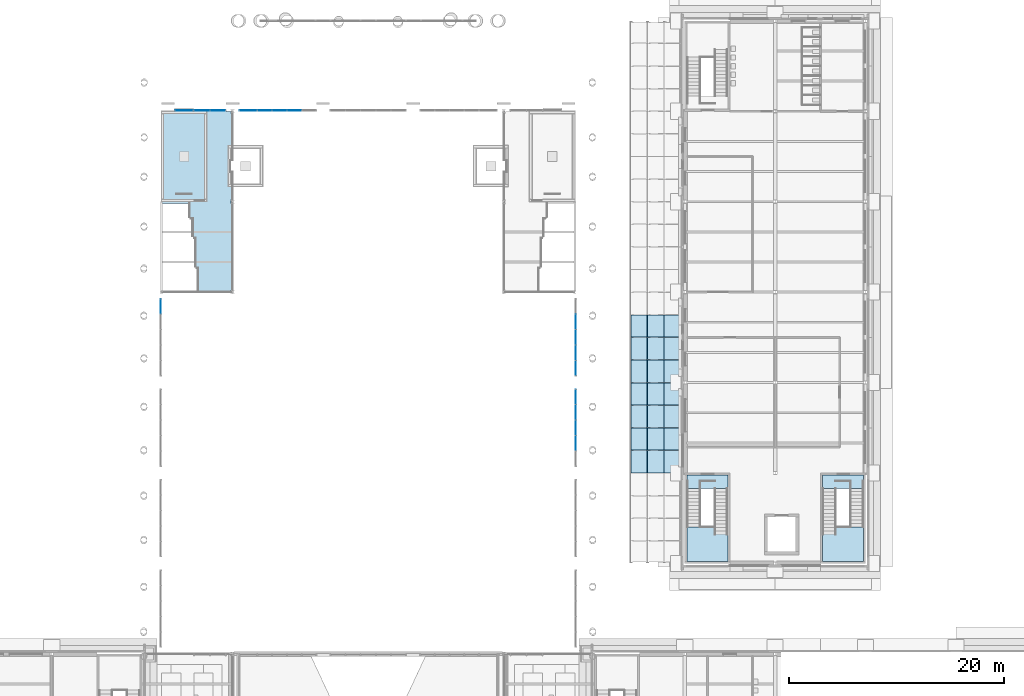
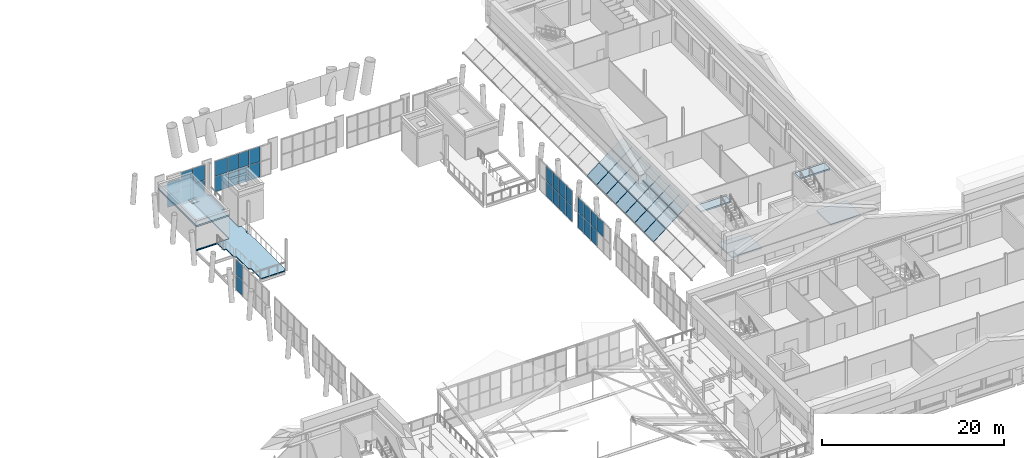
# One storey, part 37 of 76: 52 plates, 6 slabs, 9 elements without a shape of their own.
"""IFC4 building model written with IfcOpenShell, lengths in metres."""

from ifc_helpers import new_model, si_unit, direction, frame, origin, origin_2d, place, context, subcontext, project, spatial, polyline, rectangle, outline, extrude, material, layer, layer_set, type_object, element, aggregate, save


model = new_model("IFC4")

# Units and contexts
model_context = context("Model", 3, precision=1e-05, world=origin(), true_north=direction((0.0, 1.0)))
body_context = subcontext(model_context, "Body", "Model", "MODEL_VIEW")
ifc_project = project(units=[si_unit("LENGTHUNIT", "METRE"), si_unit("AREAUNIT", "SQUARE_METRE"), si_unit("VOLUMEUNIT", "CUBIC_METRE"), si_unit("PLANEANGLEUNIT", "RADIAN"), si_unit("MASSUNIT", "GRAM", prefix="KILO")], contexts=[model_context])

# Site, building, storey
site_placement = place(None, origin())
site = spatial("IfcSite", under=ifc_project, at=site_placement, CompositionType="ELEMENT")
building_placement = place(site_placement, origin())
building = spatial("IfcBuilding", under=site, at=building_placement, Name="Sava Quay Ferry Terminal", CompositionType="ELEMENT")
storey_placement = place(building_placement, frame((0.0, 0.0, 10.800048828125)))
storey = spatial("IfcBuildingStorey", under=building, at=storey_placement, Name="L02", CompositionType="ELEMENT", Elevation=10.800048828125)

# Slab
ifc_material_1 = material(Name="Concrete C30/37", Category="concrete")
ifc_layer_1 = layer(ifc_material_1, 0.1298828125)
ifc_layer_set_1 = layer_set([ifc_layer_1], Name="Concrete C30/37")
slab_type_1 = type_object("IfcSlabType", Name="Composite floor slab 130", PredefinedType="FLOOR", material=ifc_layer_set_1)
slab_1_placement = place(storey_placement, frame((0.0, 0.0, -0.130126953125)))
element("IfcSlab", 1, at=slab_1_placement, inside=storey, type_object=slab_type_1, Name="D floor slab L02", PredefinedType="FLOOR", context=body_context, shape_type="SweptSolid", body=[
    extrude(outline(polyline([(50.239990234375, 84.18994140625), (50.239990234375, 84.0), (47.199951171875, 84.0), (47.199951171875, 86.25), (47.10009765625, 86.25), (47.085205078125, 86.250732421875), (47.07080078125, 86.2529296875), (47.056396484375, 86.256591796875), (47.04248046875, 86.261474609375), (47.029296875, 86.267578125), (47.0166015625, 86.275390625), (47.0048828125, 86.283935546875), (46.993896484375, 86.2939453125), (46.98388671875, 86.3046875), (46.975341796875, 86.316650390625), (46.9677734375, 86.329345703125), (46.96142578125, 86.342529296875), (46.95654296875, 86.3564453125), (46.952880859375, 86.37060546875), (46.95068359375, 86.38525390625), (46.949951171875, 86.39990234375), (46.949951171875, 89.050048828125), (46.85009765625, 89.050048828125), (46.835205078125, 89.05078125), (46.82080078125, 89.052978515625), (46.806396484375, 89.056396484375), (46.79248046875, 89.061279296875), (46.779296875, 89.067626953125), (46.7666015625, 89.0751953125), (46.7548828125, 89.083984375), (46.743896484375, 89.093994140625), (46.73388671875, 89.104736328125), (46.725341796875, 89.11669921875), (46.7177734375, 89.12939453125), (46.71142578125, 89.142578125), (46.70654296875, 89.156494140625), (46.702880859375, 89.170654296875), (46.70068359375, 89.185302734375), (46.699951171875, 89.199951171875), (46.699951171875, 90.85009765625), (46.550048828125, 90.85009765625), (46.535400390625, 90.8505859375), (46.520751953125, 90.852783203125), (46.506591796875, 90.8564453125), (46.49267578125, 90.861328125), (46.479248046875, 90.86767578125), (46.466796875, 90.875244140625), (46.454833984375, 90.884033203125), (46.44384765625, 90.893798828125), (46.43408203125, 90.90478515625), (46.42529296875, 90.916748046875), (46.417724609375, 90.92919921875), (46.411376953125, 90.942626953125), (46.406494140625, 90.95654296875), (46.40283203125, 90.970703125), (46.400634765625, 90.9853515625), (46.39990234375, 91.0), (46.39990234375, 92.25), (43.800048828125, 92.25), (43.800048828125, 92.39990234375), (48.0, 92.39990234375), (48.0, 100.800048828125), (50.239990234375, 100.800048828125), (50.239990234375, 100.610107421875), (50.39990234375, 100.610107421875), (50.39990234375, 97.60009765625), (50.0, 97.60009765625), (50.0, 93.800048828125), (50.39990234375, 93.800048828125), (50.39990234375, 92.590087890625), (50.239990234375, 92.590087890625), (50.239990234375, 92.2099609375), (50.39990234375, 92.2099609375), (50.39990234375, 84.18994140625), (50.239990234375, 84.18994140625)])), origin(), (0.0, 0.0, 1.0), 0.130126953125),
])

# Curtain wall, plates
ifc_material_2 = material(Name="Aluminium and glass curtain wall, double low-e glazed", Category="aluminium")
curtain_wall_type_1 = type_object("IfcCurtainWallType", Name="Curtain wall CW-F flank", PredefinedType="NOTDEFINED", material=ifc_material_2)
curtain_wall_1_placement = place(storey_placement, origin())
curtain_wall_1 = element("IfcCurtainWall", 2, at=curtain_wall_1_placement, inside=storey, type_object=curtain_wall_type_1, Name="Curtain wall D-E L02 bay 3", PredefinedType="NOTDEFINED")
ifc_material_3 = material(Name="Laminated glass, double low-e glazed unit", Category="glass")
ifc_layer_2 = layer(ifc_material_3, 0.028076171875)
ifc_layer_set_2 = layer_set([ifc_layer_2], Name="Laminated glass, double low-e glazed unit")
plate_type_1 = type_object("IfcPlateType", Name="Glass panel 28 double low-e", PredefinedType="CURTAIN_PANEL", material=ifc_layer_set_2)
plate_1_placement = place(storey_placement, frame((82.27490234375, 69.9599609375, 2.125), z_axis=(0.0, 0.0, 1.0), x_axis=(0.0, 1.0, 0.0)))
plate_1 = element("IfcPlate", 3, at=plate_1_placement, type_object=plate_type_1, Name="CW46 panel 2.2", PredefinedType="CURTAIN_PANEL", context=body_context, shape_type="SweptSolid", body=[
    extrude(rectangle(XDim=1.3798828125, YDim=0.028076171875, at=origin_2d()), origin(), (0.0, 0.0, 1.0), 2.02490234375),
])
plate_2_placement = place(storey_placement, frame((82.27490234375, 71.39990234375, 0.050048828125), z_axis=(0.0, 0.0, 1.0), x_axis=(0.0, 1.0, 0.0)))
plate_2 = element("IfcPlate", 4, at=plate_2_placement, type_object=plate_type_1, Name="CW46 panel 3.1", PredefinedType="CURTAIN_PANEL", context=body_context, shape_type="SweptSolid", body=[
    extrude(rectangle(XDim=1.3798828125, YDim=0.028076171875, at=origin_2d()), origin(), (0.0, 0.0, 1.0), 2.02490234375),
])
plate_3_placement = place(storey_placement, frame((82.27490234375, 71.39990234375, 2.125), z_axis=(0.0, 0.0, 1.0), x_axis=(0.0, 1.0, 0.0)))
plate_3 = element("IfcPlate", 5, at=plate_3_placement, type_object=plate_type_1, Name="CW46 panel 3.2", PredefinedType="CURTAIN_PANEL", context=body_context, shape_type="SweptSolid", body=[
    extrude(rectangle(XDim=1.3798828125, YDim=0.028076171875, at=origin_2d()), origin(), (0.0, 0.0, 1.0), 2.02490234375),
])
plate_4_placement = place(storey_placement, frame((82.27490234375, 72.840087890625, 0.050048828125), z_axis=(0.0, 0.0, 1.0), x_axis=(0.0, 1.0, 0.0)))
plate_4 = element("IfcPlate", 6, at=plate_4_placement, type_object=plate_type_1, Name="CW46 panel 4.1", PredefinedType="CURTAIN_PANEL", context=body_context, shape_type="SweptSolid", body=[
    extrude(rectangle(XDim=1.3798828125, YDim=0.028076171875, at=origin_2d()), origin(), (0.0, 0.0, 1.0), 2.02490234375),
])
plate_5_placement = place(storey_placement, frame((82.27490234375, 72.840087890625, 2.125), z_axis=(0.0, 0.0, 1.0), x_axis=(0.0, 1.0, 0.0)))
plate_5 = element("IfcPlate", 7, at=plate_5_placement, type_object=plate_type_1, Name="CW46 panel 4.2", PredefinedType="CURTAIN_PANEL", context=body_context, shape_type="SweptSolid", body=[
    extrude(rectangle(XDim=1.3798828125, YDim=0.028076171875, at=origin_2d()), origin(), (0.0, 0.0, 1.0), 2.02490234375),
])
plate_6_placement = place(storey_placement, frame((82.27490234375, 74.264892578125, 0.050048828125), z_axis=(0.0, 0.0, 1.0), x_axis=(0.0, 1.0, 0.0)))
plate_6 = element("IfcPlate", 8, at=plate_6_placement, type_object=plate_type_1, Name="CW46 panel 5.1", PredefinedType="CURTAIN_PANEL", context=body_context, shape_type="SweptSolid", body=[
    extrude(rectangle(XDim=1.35009765625, YDim=0.028076171875, at=origin_2d()), origin(), (0.0, 0.0, 1.0), 2.02490234375),
])
plate_7_placement = place(storey_placement, frame((82.27490234375, 74.264892578125, 2.125), z_axis=(0.0, 0.0, 1.0), x_axis=(0.0, 1.0, 0.0)))
plate_7 = element("IfcPlate", 9, at=plate_7_placement, type_object=plate_type_1, Name="CW46 panel 5.2", PredefinedType="CURTAIN_PANEL", context=body_context, shape_type="SweptSolid", body=[
    extrude(rectangle(XDim=1.35009765625, YDim=0.028076171875, at=origin_2d()), origin(), (0.0, 0.0, 1.0), 2.02490234375),
])
aggregate(curtain_wall_1, [plate_1, plate_2, plate_3, plate_4, plate_5, plate_6, plate_7])

curtain_wall_2_placement = place(storey_placement, origin())
curtain_wall_2 = element("IfcCurtainWall", 10, at=curtain_wall_2_placement, inside=storey, type_object=curtain_wall_type_1, Name="Curtain wall D-E L02 bay 4", PredefinedType="NOTDEFINED")
plate_8_placement = place(storey_placement, frame((82.27490234375, 76.93505859375, 0.050048828125), z_axis=(0.0, 0.0, 1.0), x_axis=(0.0, 1.0, 0.0)))
plate_8 = element("IfcPlate", 11, at=plate_8_placement, type_object=plate_type_1, Name="CW49 panel 1.1", PredefinedType="CURTAIN_PANEL", context=body_context, shape_type="SweptSolid", body=[
    extrude(rectangle(XDim=1.35009765625, YDim=0.028076171875, at=origin_2d()), origin(), (0.0, 0.0, 1.0), 2.02490234375),
])
plate_9_placement = place(storey_placement, frame((82.27490234375, 76.93505859375, 2.125), z_axis=(0.0, 0.0, 1.0), x_axis=(0.0, 1.0, 0.0)))
plate_9 = element("IfcPlate", 12, at=plate_9_placement, type_object=plate_type_1, Name="CW49 panel 1.2", PredefinedType="CURTAIN_PANEL", context=body_context, shape_type="SweptSolid", body=[
    extrude(rectangle(XDim=1.35009765625, YDim=0.028076171875, at=origin_2d()), origin(), (0.0, 0.0, 1.0), 2.02490234375),
])
plate_10_placement = place(storey_placement, frame((82.27490234375, 78.360107421875, 0.050048828125), z_axis=(0.0, 0.0, 1.0), x_axis=(0.0, 1.0, 0.0)))
plate_10 = element("IfcPlate", 13, at=plate_10_placement, type_object=plate_type_1, Name="CW49 panel 2.1", PredefinedType="CURTAIN_PANEL", context=body_context, shape_type="SweptSolid", body=[
    extrude(rectangle(XDim=1.3798828125, YDim=0.028076171875, at=origin_2d()), origin(), (0.0, 0.0, 1.0), 2.02490234375),
])
plate_11_placement = place(storey_placement, frame((82.27490234375, 78.360107421875, 2.125), z_axis=(0.0, 0.0, 1.0), x_axis=(0.0, 1.0, 0.0)))
plate_11 = element("IfcPlate", 14, at=plate_11_placement, type_object=plate_type_1, Name="CW49 panel 2.2", PredefinedType="CURTAIN_PANEL", context=body_context, shape_type="SweptSolid", body=[
    extrude(rectangle(XDim=1.3798828125, YDim=0.028076171875, at=origin_2d()), origin(), (0.0, 0.0, 1.0), 2.02490234375),
])
plate_12_placement = place(storey_placement, frame((82.27490234375, 79.800048828125, 0.050048828125), z_axis=(0.0, 0.0, 1.0), x_axis=(0.0, 1.0, 0.0)))
plate_12 = element("IfcPlate", 15, at=plate_12_placement, type_object=plate_type_1, Name="CW49 panel 3.1", PredefinedType="CURTAIN_PANEL", context=body_context, shape_type="SweptSolid", body=[
    extrude(rectangle(XDim=1.3798828125, YDim=0.028076171875, at=origin_2d()), origin(), (0.0, 0.0, 1.0), 2.02490234375),
])
plate_13_placement = place(storey_placement, frame((82.27490234375, 79.800048828125, 2.125), z_axis=(0.0, 0.0, 1.0), x_axis=(0.0, 1.0, 0.0)))
plate_13 = element("IfcPlate", 16, at=plate_13_placement, type_object=plate_type_1, Name="CW49 panel 3.2", PredefinedType="CURTAIN_PANEL", context=body_context, shape_type="SweptSolid", body=[
    extrude(rectangle(XDim=1.3798828125, YDim=0.028076171875, at=origin_2d()), origin(), (0.0, 0.0, 1.0), 2.02490234375),
])
plate_14_placement = place(storey_placement, frame((82.27490234375, 81.239990234375, 0.050048828125), z_axis=(0.0, 0.0, 1.0), x_axis=(0.0, 1.0, 0.0)))
plate_14 = element("IfcPlate", 17, at=plate_14_placement, type_object=plate_type_1, Name="CW49 panel 4.1", PredefinedType="CURTAIN_PANEL", context=body_context, shape_type="SweptSolid", body=[
    extrude(rectangle(XDim=1.3798828125, YDim=0.028076171875, at=origin_2d()), origin(), (0.0, 0.0, 1.0), 2.02490234375),
])
plate_15_placement = place(storey_placement, frame((82.27490234375, 81.239990234375, 2.125), z_axis=(0.0, 0.0, 1.0), x_axis=(0.0, 1.0, 0.0)))
plate_15 = element("IfcPlate", 18, at=plate_15_placement, type_object=plate_type_1, Name="CW49 panel 4.2", PredefinedType="CURTAIN_PANEL", context=body_context, shape_type="SweptSolid", body=[
    extrude(rectangle(XDim=1.3798828125, YDim=0.028076171875, at=origin_2d()), origin(), (0.0, 0.0, 1.0), 2.02490234375),
])
aggregate(curtain_wall_2, [plate_8, plate_9, plate_10, plate_11, plate_12, plate_13, plate_14, plate_15])

ifc_material_4 = material(Name="Aluminium and glass curtain wall, double low-e glazed", Category="aluminium")
curtain_wall_type_2 = type_object("IfcCurtainWallType", Name="Curtain wall CW-G gable", PredefinedType="NOTDEFINED", material=ifc_material_4)
curtain_wall_3_placement = place(storey_placement, origin())
curtain_wall_3 = element("IfcCurtainWall", 19, at=curtain_wall_3_placement, inside=storey, type_object=curtain_wall_type_2, Name="Curtain wall D-N L02 bay 1", PredefinedType="NOTDEFINED")
plate_16_placement = place(storey_placement, frame((45.889892578125, 100.885009765625, 0.050048828125), z_axis=(0.0, 0.0, 1.0), x_axis=(1.0, 0.0, 0.0)))
plate_16 = element("IfcPlate", 20, at=plate_16_placement, type_object=plate_type_1, Name="CW56 panel 1.1", PredefinedType="CURTAIN_PANEL", context=body_context, shape_type="SweptSolid", body=[
    extrude(rectangle(XDim=1.659912109375, YDim=0.028076171875, at=origin_2d()), origin(), (0.0, 0.0, 1.0), 1.64990234375),
])
plate_17_placement = place(storey_placement, frame((45.889892578125, 100.885009765625, 1.75), z_axis=(0.0, 0.0, 1.0), x_axis=(1.0, 0.0, 0.0)))
plate_17 = element("IfcPlate", 21, at=plate_17_placement, type_object=plate_type_1, Name="CW56 panel 1.2", PredefinedType="CURTAIN_PANEL", context=body_context, shape_type="SweptSolid", body=[
    extrude(rectangle(XDim=1.659912109375, YDim=0.028076171875, at=origin_2d()), origin(), (0.0, 0.0, 1.0), 1.64990234375),
])
aggregate(curtain_wall_3, [plate_16, plate_17])

curtain_wall_4_placement = place(storey_placement, origin())
curtain_wall_4 = element("IfcCurtainWall", 22, at=curtain_wall_4_placement, inside=storey, type_object=curtain_wall_type_2, Name="Curtain wall D-N L02 bay 11", PredefinedType="NOTDEFINED")
plate_18_placement = place(storey_placement, frame((47.550048828125, 100.885009765625, 0.050048828125), z_axis=(0.0, 0.0, 1.0), x_axis=(1.0, 0.0, 0.0)))
plate_18 = element("IfcPlate", 23, at=plate_18_placement, type_object=plate_type_1, Name="CW59 panel 1.1", PredefinedType="CURTAIN_PANEL", context=body_context, shape_type="SweptSolid", body=[
    extrude(rectangle(XDim=1.419921875, YDim=0.028076171875, at=origin_2d()), origin(), (0.0, 0.0, 1.0), 2.02490234375),
])
plate_19_placement = place(storey_placement, frame((47.550048828125, 100.885009765625, 2.125), z_axis=(0.0, 0.0, 1.0), x_axis=(1.0, 0.0, 0.0)))
plate_19 = element("IfcPlate", 24, at=plate_19_placement, type_object=plate_type_1, Name="CW59 panel 1.2", PredefinedType="CURTAIN_PANEL", context=body_context, shape_type="SweptSolid", body=[
    extrude(rectangle(XDim=1.419921875, YDim=0.028076171875, at=origin_2d()), origin(), (0.0, 0.0, 1.0), 2.02490234375),
])
plate_20_placement = place(storey_placement, frame((49.030029296875, 100.885009765625, 0.050048828125), z_axis=(0.0, 0.0, 1.0), x_axis=(1.0, 0.0, 0.0)))
plate_20 = element("IfcPlate", 25, at=plate_20_placement, type_object=plate_type_1, Name="CW59 panel 2.1", PredefinedType="CURTAIN_PANEL", context=body_context, shape_type="SweptSolid", body=[
    extrude(rectangle(XDim=1.419921875, YDim=0.028076171875, at=origin_2d()), origin(), (0.0, 0.0, 1.0), 2.02490234375),
])
plate_21_placement = place(storey_placement, frame((49.030029296875, 100.885009765625, 2.125), z_axis=(0.0, 0.0, 1.0), x_axis=(1.0, 0.0, 0.0)))
plate_21 = element("IfcPlate", 26, at=plate_21_placement, type_object=plate_type_1, Name="CW59 panel 2.2", PredefinedType="CURTAIN_PANEL", context=body_context, shape_type="SweptSolid", body=[
    extrude(rectangle(XDim=1.419921875, YDim=0.028076171875, at=origin_2d()), origin(), (0.0, 0.0, 1.0), 2.02490234375),
])
aggregate(curtain_wall_4, [plate_18, plate_19, plate_20, plate_21])

curtain_wall_5_placement = place(storey_placement, origin())
curtain_wall_5 = element("IfcCurtainWall", 27, at=curtain_wall_5_placement, inside=storey, type_object=curtain_wall_type_2, Name="Curtain wall D-N L02 bay 12", PredefinedType="NOTDEFINED")
plate_22_placement = place(storey_placement, frame((51.85009765625, 100.885009765625, 0.050048828125), z_axis=(0.0, 0.0, 1.0), x_axis=(1.0, 0.0, 0.0)))
plate_22 = element("IfcPlate", 28, at=plate_22_placement, type_object=plate_type_1, Name="CW63 panel 1.1", PredefinedType="CURTAIN_PANEL", context=body_context, shape_type="SweptSolid", body=[
    extrude(rectangle(XDim=1.580078125, YDim=0.028076171875, at=origin_2d()), origin(), (0.0, 0.0, 1.0), 2.02490234375),
])
plate_23_placement = place(storey_placement, frame((51.85009765625, 100.885009765625, 2.125), z_axis=(0.0, 0.0, 1.0), x_axis=(1.0, 0.0, 0.0)))
plate_23 = element("IfcPlate", 29, at=plate_23_placement, type_object=plate_type_1, Name="CW63 panel 1.2", PredefinedType="CURTAIN_PANEL", context=body_context, shape_type="SweptSolid", body=[
    extrude(rectangle(XDim=1.580078125, YDim=0.028076171875, at=origin_2d()), origin(), (0.0, 0.0, 1.0), 2.02490234375),
])
aggregate(curtain_wall_5, [plate_22, plate_23])

curtain_wall_6_placement = place(storey_placement, origin())
curtain_wall_6 = element("IfcCurtainWall", 30, at=curtain_wall_6_placement, inside=storey, type_object=curtain_wall_type_2, Name="Curtain wall D-N L02 bay 21", PredefinedType="NOTDEFINED")
plate_24_placement = place(storey_placement, frame((53.402587890625, 100.885009765625, 0.050048828125), z_axis=(0.0, 0.0, 1.0), x_axis=(1.0, 0.0, 0.0)))
plate_24 = element("IfcPlate", 31, at=plate_24_placement, type_object=plate_type_1, Name="CW67 panel 1.1", PredefinedType="CURTAIN_PANEL", context=body_context, shape_type="SweptSolid", body=[
    extrude(rectangle(XDim=1.284912109375, YDim=0.028076171875, at=origin_2d()), origin(), (0.0, 0.0, 1.0), 2.02490234375),
])
plate_25_placement = place(storey_placement, frame((53.402587890625, 100.885009765625, 2.125), z_axis=(0.0, 0.0, 1.0), x_axis=(1.0, 0.0, 0.0)))
plate_25 = element("IfcPlate", 32, at=plate_25_placement, type_object=plate_type_1, Name="CW67 panel 1.2", PredefinedType="CURTAIN_PANEL", context=body_context, shape_type="SweptSolid", body=[
    extrude(rectangle(XDim=1.284912109375, YDim=0.028076171875, at=origin_2d()), origin(), (0.0, 0.0, 1.0), 2.02490234375),
])
plate_26_placement = place(storey_placement, frame((54.762451171875, 100.885009765625, 0.050048828125), z_axis=(0.0, 0.0, 1.0), x_axis=(1.0, 0.0, 0.0)))
plate_26 = element("IfcPlate", 33, at=plate_26_placement, type_object=plate_type_1, Name="CW67 panel 2.1", PredefinedType="CURTAIN_PANEL", context=body_context, shape_type="SweptSolid", body=[
    extrude(rectangle(XDim=1.31494140625, YDim=0.028076171875, at=origin_2d()), origin(), (0.0, 0.0, 1.0), 2.02490234375),
])
plate_27_placement = place(storey_placement, frame((54.762451171875, 100.885009765625, 2.125), z_axis=(0.0, 0.0, 1.0), x_axis=(1.0, 0.0, 0.0)))
plate_27 = element("IfcPlate", 34, at=plate_27_placement, type_object=plate_type_1, Name="CW67 panel 2.2", PredefinedType="CURTAIN_PANEL", context=body_context, shape_type="SweptSolid", body=[
    extrude(rectangle(XDim=1.31494140625, YDim=0.028076171875, at=origin_2d()), origin(), (0.0, 0.0, 1.0), 2.02490234375),
])
plate_28_placement = place(storey_placement, frame((56.137451171875, 100.885009765625, 0.050048828125), z_axis=(0.0, 0.0, 1.0), x_axis=(1.0, 0.0, 0.0)))
plate_28 = element("IfcPlate", 35, at=plate_28_placement, type_object=plate_type_1, Name="CW67 panel 3.1", PredefinedType="CURTAIN_PANEL", context=body_context, shape_type="SweptSolid", body=[
    extrude(rectangle(XDim=1.31494140625, YDim=0.028076171875, at=origin_2d()), origin(), (0.0, 0.0, 1.0), 2.02490234375),
])
plate_29_placement = place(storey_placement, frame((56.137451171875, 100.885009765625, 2.125), z_axis=(0.0, 0.0, 1.0), x_axis=(1.0, 0.0, 0.0)))
plate_29 = element("IfcPlate", 36, at=plate_29_placement, type_object=plate_type_1, Name="CW67 panel 3.2", PredefinedType="CURTAIN_PANEL", context=body_context, shape_type="SweptSolid", body=[
    extrude(rectangle(XDim=1.31494140625, YDim=0.028076171875, at=origin_2d()), origin(), (0.0, 0.0, 1.0), 2.02490234375),
])
aggregate(curtain_wall_6, [plate_24, plate_25, plate_26, plate_27, plate_28, plate_29])

curtain_wall_7_placement = place(storey_placement, origin())
curtain_wall_7 = element("IfcCurtainWall", 37, at=curtain_wall_7_placement, inside=storey, type_object=curtain_wall_type_1, Name="Curtain wall D-W L02 bay 4", PredefinedType="NOTDEFINED")
plate_30_placement = place(storey_placement, frame((43.72509765625, 82.6650390625, 0.050048828125), z_axis=(0.0, 0.0, 1.0), x_axis=(0.0, 1.0, 0.0)))
plate_30 = element("IfcPlate", 38, at=plate_30_placement, type_object=plate_type_1, Name="CW108 panel 5.1", PredefinedType="CURTAIN_PANEL", context=body_context, shape_type="SweptSolid", body=[
    extrude(rectangle(XDim=1.35009765625, YDim=0.028076171875, at=origin_2d()), origin(), (0.0, 0.0, 1.0), 2.02490234375),
])
plate_31_placement = place(storey_placement, frame((43.72509765625, 82.6650390625, 2.125), z_axis=(0.0, 0.0, 1.0), x_axis=(0.0, 1.0, 0.0)))
plate_31 = element("IfcPlate", 39, at=plate_31_placement, type_object=plate_type_1, Name="CW108 panel 5.2", PredefinedType="CURTAIN_PANEL", context=body_context, shape_type="SweptSolid", body=[
    extrude(rectangle(XDim=1.35009765625, YDim=0.028076171875, at=origin_2d()), origin(), (0.0, 0.0, 1.0), 2.02490234375),
])
aggregate(curtain_wall_7, [plate_30, plate_31])

# Slab
ifc_material_5 = material(Name="Concrete C35/45", Category="concrete")
ifc_layer_3 = layer(ifc_material_5, 0.199951171875)
ifc_layer_set_3 = layer_set([ifc_layer_3], Name="Concrete C35/45")
slab_type_2 = type_object("IfcSlabType", Name="RC core roof slab 200", PredefinedType="ROOF", material=ifc_layer_set_3)
slab_2_placement = place(storey_placement, frame((0.0, 0.0, 3.0)))
element("IfcSlab", 40, at=slab_2_placement, inside=storey, type_object=slab_type_2, Name="Core roof slab ST-D5", PredefinedType="ROOF", context=body_context, shape_type="SweptSolid", body=[
    extrude(outline(polyline([(43.800048828125, 92.39990234375), (48.0, 92.39990234375), (48.0, 100.800048828125), (43.800048828125, 100.800048828125), (43.800048828125, 92.39990234375)]), holes=[polyline([(45.550048828125, 96.25), (46.25, 96.25), (46.25, 96.949951171875), (45.550048828125, 96.949951171875), (45.550048828125, 96.25)])]), origin(), (0.0, 0.0, 1.0), 0.199951171875),
])

# Plates
ifc_material_6 = material(Name="Laminated glass", Category="glass")
ifc_layer_4 = layer(ifc_material_6, 0.0400390625)
ifc_layer_set_4 = layer_set([ifc_layer_4], Name="Laminated glass")
plate_type_2 = type_object("IfcPlateType", Name="Skylight glass 40", PredefinedType="SHEET", material=ifc_layer_set_4)
for number, where, z_axis, x_axis, name in (
    (41, (87.39599609375, 81.8798828125, 1.029296875), (-0.617810385509, 0.0, 0.786327112312), (0.786327112312, 0.0, 0.617810385509), "Passage roof glass PS-F-K13.2"),
    (42, (88.946044921875, 81.8798828125, 2.247314453125), (-0.617810385509, 0.0, 0.786327112312), (0.786327112312, 0.0, 0.617810385509), "Passage roof glass PS-F-K13.3"),
):
    element("IfcPlate", number, at=place(storey_placement, frame(where, z_axis=z_axis, x_axis=x_axis)), inside=storey, type_object=plate_type_2, Name=name, PredefinedType="SHEET", context=body_context, shape_type="SweptSolid", body=[
        extrude(outline(polyline([(0.0, 0.0), (1.9311997052158885, 0.0), (1.9311997052158885, -2.059814453125), (0.0, -2.059814453125), (0.0, 0.0)])), origin(), (0.0, 0.0, -1.0), 0.0400390625),
    ])
plate_32_placement = place(storey_placement, frame((90.495849609375, 79.820068359375, 3.465087890625), z_axis=(-0.617821551932, 0.0, 0.786318338822), x_axis=(0.0, 1.0, 0.0)))
element("IfcPlate", 43, at=plate_32_placement, inside=storey, type_object=plate_type_2, Name="Passage roof glass PS-F-K13.4", PredefinedType="SHEET", context=body_context, shape_type="SweptSolid", body=[
    extrude(outline(polyline([(0.0, 0.0), (2.059814453125, 0.0), (2.059814453125, -1.816962503557546), (0.0, -1.816962503557546), (0.0, 0.0)])), origin(), (0.0, 0.0, -1.0), 0.0400390625),
])
for number, where, z_axis, x_axis, name in (
    (44, (87.39599609375, 79.780029296875, 1.029296875), (-0.617810385509, 0.0, 0.786327112312), (0.786327112312, 0.0, 0.617810385509), "Passage roof glass PS-F-K14.2"),
    (45, (88.946044921875, 79.780029296875, 2.247314453125), (-0.617810385509, 0.0, 0.786327112312), (0.786327112312, 0.0, 0.617810385509), "Passage roof glass PS-F-K14.3"),
):
    element("IfcPlate", number, at=place(storey_placement, frame(where, z_axis=z_axis, x_axis=x_axis)), inside=storey, type_object=plate_type_2, Name=name, PredefinedType="SHEET", context=body_context, shape_type="SweptSolid", body=[
        extrude(outline(polyline([(0.0, 0.0), (1.9311997052158885, 0.0), (1.9311997052158885, -2.06005859375), (0.0, -2.06005859375), (0.0, 0.0)])), origin(), (0.0, 0.0, -1.0), 0.0400390625),
    ])
plate_33_placement = place(storey_placement, frame((90.495849609375, 77.719970703125, 3.465087890625), z_axis=(-0.617821551932, 0.0, 0.786318338822), x_axis=(0.0, 1.0, 0.0)))
element("IfcPlate", 46, at=plate_33_placement, inside=storey, type_object=plate_type_2, Name="Passage roof glass PS-F-K14.4", PredefinedType="SHEET", context=body_context, shape_type="SweptSolid", body=[
    extrude(outline(polyline([(0.0, 0.0), (2.06005859375, 0.0), (2.06005859375, -1.8169625035575463), (0.0, -1.8169625035575463), (0.0, 0.0)])), origin(), (0.0, 0.0, -1.0), 0.0400390625),
])
for number, where, z_axis, x_axis, name in (
    (47, (87.39599609375, 77.679931640625, 1.029296875), (-0.617810385509, 0.0, 0.786327112312), (0.786327112312, 0.0, 0.617810385509), "Passage roof glass PS-F-K15.2"),
    (48, (88.946044921875, 77.679931640625, 2.247314453125), (-0.617810385509, 0.0, 0.786327112312), (0.786327112312, 0.0, 0.617810385509), "Passage roof glass PS-F-K15.3"),
):
    element("IfcPlate", number, at=place(storey_placement, frame(where, z_axis=z_axis, x_axis=x_axis)), inside=storey, type_object=plate_type_2, Name=name, PredefinedType="SHEET", context=body_context, shape_type="SweptSolid", body=[
        extrude(outline(polyline([(0.0, 0.0), (1.9311997052158885, 0.0), (1.9311997052158885, -2.059814453125), (0.0, -2.059814453125), (0.0, 0.0)])), origin(), (0.0, 0.0, -1.0), 0.0400390625),
    ])
plate_34_placement = place(storey_placement, frame((90.495849609375, 75.6201171875, 3.465087890625), z_axis=(-0.617821551932, 0.0, 0.786318338822), x_axis=(0.0, 1.0, 0.0)))
element("IfcPlate", 49, at=plate_34_placement, inside=storey, type_object=plate_type_2, Name="Passage roof glass PS-F-K15.4", PredefinedType="SHEET", context=body_context, shape_type="SweptSolid", body=[
    extrude(outline(polyline([(0.0, 0.0), (2.059814453125, 0.0), (2.059814453125, -1.816962503557546), (0.0, -1.816962503557546), (0.0, 0.0)])), origin(), (0.0, 0.0, -1.0), 0.0400390625),
])
for number, where, z_axis, x_axis, name in (
    (50, (87.39599609375, 75.580078125, 1.029296875), (-0.617810385509, 0.0, 0.786327112312), (0.786327112312, 0.0, 0.617810385509), "Passage roof glass PS-F-K16.2"),
    (51, (88.946044921875, 75.580078125, 2.247314453125), (-0.617810385509, 0.0, 0.786327112312), (0.786327112312, 0.0, 0.617810385509), "Passage roof glass PS-F-K16.3"),
):
    element("IfcPlate", number, at=place(storey_placement, frame(where, z_axis=z_axis, x_axis=x_axis)), inside=storey, type_object=plate_type_2, Name=name, PredefinedType="SHEET", context=body_context, shape_type="SweptSolid", body=[
        extrude(outline(polyline([(0.0, 0.0), (1.9311997052158885, 0.0), (1.9311997052158885, -2.06005859375), (0.0, -2.06005859375), (0.0, 0.0)])), origin(), (0.0, 0.0, -1.0), 0.0400390625),
    ])
plate_35_placement = place(storey_placement, frame((90.495849609375, 73.52001953125, 3.465087890625), z_axis=(-0.617821551932, 0.0, 0.786318338822), x_axis=(0.0, 1.0, 0.0)))
element("IfcPlate", 52, at=plate_35_placement, inside=storey, type_object=plate_type_2, Name="Passage roof glass PS-F-K16.4", PredefinedType="SHEET", context=body_context, shape_type="SweptSolid", body=[
    extrude(outline(polyline([(0.0, 0.0), (2.06005859375, 0.0), (2.06005859375, -1.8169625035575463), (0.0, -1.8169625035575463), (0.0, 0.0)])), origin(), (0.0, 0.0, -1.0), 0.0400390625),
])
for number, where, z_axis, x_axis, name in (
    (53, (87.39599609375, 73.47998046875, 1.029296875), (-0.617810385509, 0.0, 0.786327112312), (0.786327112312, 0.0, 0.617810385509), "Passage roof glass PS-F-K17.2"),
    (54, (88.946044921875, 73.47998046875, 2.247314453125), (-0.617810385509, 0.0, 0.786327112312), (0.786327112312, 0.0, 0.617810385509), "Passage roof glass PS-F-K17.3"),
):
    element("IfcPlate", number, at=place(storey_placement, frame(where, z_axis=z_axis, x_axis=x_axis)), inside=storey, type_object=plate_type_2, Name=name, PredefinedType="SHEET", context=body_context, shape_type="SweptSolid", body=[
        extrude(outline(polyline([(0.0, 0.0), (1.9311997052158885, 0.0), (1.9311997052158885, -2.06005859375), (0.0, -2.06005859375), (0.0, 0.0)])), origin(), (0.0, 0.0, -1.0), 0.0400390625),
    ])
plate_36_placement = place(storey_placement, frame((90.495849609375, 71.419921875, 3.465087890625), z_axis=(-0.617821551932, 0.0, 0.786318338822), x_axis=(0.0, 1.0, 0.0)))
element("IfcPlate", 55, at=plate_36_placement, inside=storey, type_object=plate_type_2, Name="Passage roof glass PS-F-K17.4", PredefinedType="SHEET", context=body_context, shape_type="SweptSolid", body=[
    extrude(outline(polyline([(0.0, 0.0), (2.06005859375, 0.0), (2.06005859375, -1.8169625035575463), (0.0, -1.8169625035575463), (0.0, 0.0)])), origin(), (0.0, 0.0, -1.0), 0.0400390625),
])
for number, where, z_axis, x_axis, name in (
    (56, (87.39599609375, 71.3798828125, 1.029296875), (-0.617810385509, 0.0, 0.786327112312), (0.786327112312, 0.0, 0.617810385509), "Passage roof glass PS-F-K18.2"),
    (57, (88.946044921875, 71.3798828125, 2.247314453125), (-0.617810385509, 0.0, 0.786327112312), (0.786327112312, 0.0, 0.617810385509), "Passage roof glass PS-F-K18.3"),
):
    element("IfcPlate", number, at=place(storey_placement, frame(where, z_axis=z_axis, x_axis=x_axis)), inside=storey, type_object=plate_type_2, Name=name, PredefinedType="SHEET", context=body_context, shape_type="SweptSolid", body=[
        extrude(outline(polyline([(0.0, 0.0), (1.9311997052158885, 0.0), (1.9311997052158885, -2.059814453125), (0.0, -2.059814453125), (0.0, 0.0)])), origin(), (0.0, 0.0, -1.0), 0.0400390625),
    ])
plate_37_placement = place(storey_placement, frame((90.495849609375, 69.320068359375, 3.465087890625), z_axis=(-0.617821551932, 0.0, 0.786318338822), x_axis=(0.0, 1.0, 0.0)))
element("IfcPlate", 58, at=plate_37_placement, inside=storey, type_object=plate_type_2, Name="Passage roof glass PS-F-K18.4", PredefinedType="SHEET", context=body_context, shape_type="SweptSolid", body=[
    extrude(outline(polyline([(0.0, 0.0), (2.059814453125, 0.0), (2.059814453125, -1.816962503557546), (0.0, -1.816962503557546), (0.0, 0.0)])), origin(), (0.0, 0.0, -1.0), 0.0400390625),
])
for number, where, z_axis, x_axis, name in (
    (59, (87.39599609375, 69.280029296875, 1.029296875), (-0.617810385509, 0.0, 0.786327112312), (0.786327112312, 0.0, 0.617810385509), "Passage roof glass PS-F-K19.2"),
    (60, (88.946044921875, 69.280029296875, 2.247314453125), (-0.617810385509, 0.0, 0.786327112312), (0.786327112312, 0.0, 0.617810385509), "Passage roof glass PS-F-K19.3"),
):
    element("IfcPlate", number, at=place(storey_placement, frame(where, z_axis=z_axis, x_axis=x_axis)), inside=storey, type_object=plate_type_2, Name=name, PredefinedType="SHEET", context=body_context, shape_type="SweptSolid", body=[
        extrude(outline(polyline([(0.0, 0.0), (1.9311997052158885, 0.0), (1.9311997052158885, -2.06005859375), (0.0, -2.06005859375), (0.0, 0.0)])), origin(), (0.0, 0.0, -1.0), 0.0400390625),
    ])
plate_38_placement = place(storey_placement, frame((90.495849609375, 67.219970703125, 3.465087890625), z_axis=(-0.617821551932, 0.0, 0.786318338822), x_axis=(0.0, 1.0, 0.0)))
element("IfcPlate", 61, at=plate_38_placement, inside=storey, type_object=plate_type_2, Name="Passage roof glass PS-F-K19.4", PredefinedType="SHEET", context=body_context, shape_type="SweptSolid", body=[
    extrude(outline(polyline([(0.0, 0.0), (2.06005859375, 0.0), (2.06005859375, -1.8169625035575463), (0.0, -1.8169625035575463), (0.0, 0.0)])), origin(), (0.0, 0.0, -1.0), 0.0400390625),
])

# Stair, slab
ifc_material_7 = material(Name="Concrete C30/37", Category="concrete")
stair_type = type_object("IfcStairType", Name="Stair 1200 half landing", PredefinedType="HALF_TURN_STAIR", material=ifc_material_7)
stair_1_placement = place(storey_placement, origin())
stair_1 = element("IfcStair", 62, at=stair_1_placement, inside=storey, type_object=stair_type, Name="Stair ST-O1 L02", PredefinedType="HALF_TURN_STAIR")
ifc_material_8 = material(Name="Concrete C30/37", Category="concrete")
ifc_layer_5 = layer(ifc_material_8, 0.199951171875)
ifc_layer_set_5 = layer_set([ifc_layer_5], Name="Concrete C30/37")
slab_type_3 = type_object("IfcSlabType", Name="Stair head floor 200", PredefinedType="FLOOR", material=ifc_layer_set_5)
slab_3_placement = place(storey_placement, frame((0.0, 0.0, 4.0)))
slab_3 = element("IfcSlab", 63, at=slab_3_placement, type_object=slab_type_3, Name="ST-O1 head floor L03", PredefinedType="FLOOR", context=body_context, shape_type="SweptSolid", body=[
    extrude(outline(polyline([(92.60009765625, 65.77001953125), (92.60009765625, 67.0), (96.39990234375, 67.0), (96.39990234375, 65.77001953125), (92.60009765625, 65.77001953125)])), origin(), (0.0, 0.0, 1.0), 0.199951171875),
])

stair_2_placement = place(storey_placement, origin())
stair_2 = element("IfcStair", 64, at=stair_2_placement, inside=storey, type_object=stair_type, Name="Stair ST-O2 L02", PredefinedType="HALF_TURN_STAIR")
slab_4_placement = place(storey_placement, frame((0.0, 0.0, 4.0)))
slab_4 = element("IfcSlab", 65, at=slab_4_placement, type_object=slab_type_3, Name="ST-O2 head floor L03", PredefinedType="FLOOR", context=body_context, shape_type="SweptSolid", body=[
    extrude(outline(polyline([(105.199951171875, 65.77001953125), (105.199951171875, 67.0), (109.0, 67.0), (109.0, 65.77001953125), (105.199951171875, 65.77001953125)])), origin(), (0.0, 0.0, 1.0), 0.199951171875),
])

# Slab
ifc_material_9 = material(Name="Concrete C30/37", Category="concrete")
ifc_layer_6 = layer(ifc_material_9, 0.199951171875)
ifc_layer_set_6 = layer_set([ifc_layer_6], Name="Concrete C30/37")
slab_type_4 = type_object("IfcSlabType", Name="Stair landing 200", PredefinedType="LANDING", material=ifc_layer_set_6)
slab_5_placement = place(storey_placement, frame((0.0, 0.0, 1.89990234375)))
slab_5 = element("IfcSlab", 66, at=slab_5_placement, type_object=slab_type_4, Name="ST-O1 landing 1", PredefinedType="LANDING", context=body_context, shape_type="SweptSolid", body=[
    extrude(outline(polyline([(92.60009765625, 59.0), (92.60009765625, 62.179931640625), (96.39990234375, 62.179931640625), (96.39990234375, 59.0), (92.60009765625, 59.0)])), origin(), (0.0, 0.0, 1.0), 0.199951171875),
])

aggregate(stair_1, [slab_5, slab_3])

slab_6_placement = place(storey_placement, frame((0.0, 0.0, 1.89990234375)))
slab_6 = element("IfcSlab", 67, at=slab_6_placement, type_object=slab_type_4, Name="ST-O2 landing 1", PredefinedType="LANDING", context=body_context, shape_type="SweptSolid", body=[
    extrude(outline(polyline([(105.199951171875, 59.0), (105.199951171875, 62.179931640625), (109.0, 62.179931640625), (109.0, 59.0), (105.199951171875, 59.0)])), origin(), (0.0, 0.0, 1.0), 0.199951171875),
])

aggregate(stair_2, [slab_6, slab_4])

save(model, "model.ifc")
